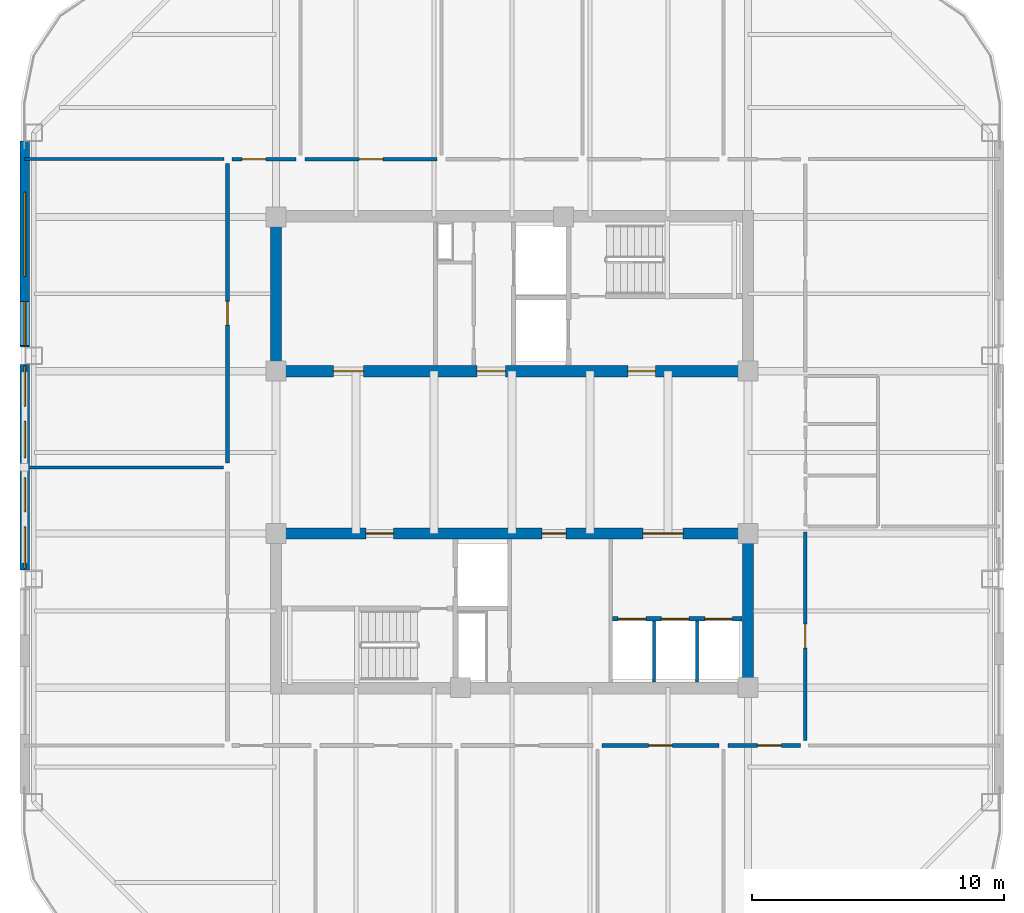
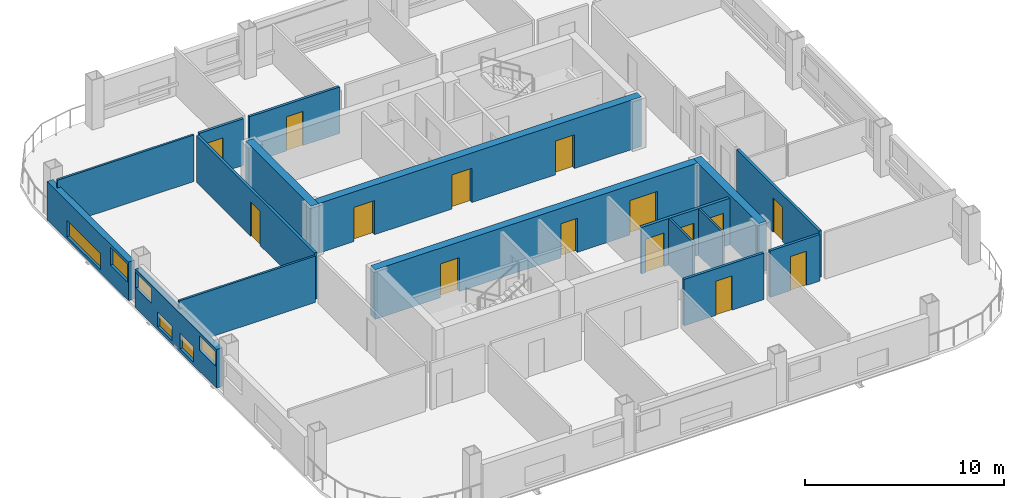
# One storey, part 3 of 8: 17 walls, 15 doors, 6 windows, 21 openings.
"""IFC4 building model written with IfcOpenShell, lengths in metres."""

import ifcopenshell
import ifcopenshell.guid

model = None  # the IFC model being written
_history = None  # IfcOwnerHistory: only IFC2X3 demands one
_inside = {}  # id of a spatial element -> (the spatial element, [elements in it])
_under = {}  # id of a project, library or spatial element -> (it, [spatial elements below it])
_declared = {}  # id of a project -> (the project, [libraries it declares])
_typed = {}  # id of a type object -> (the type object, [elements of that type])
_made_of = {}  # id of a material, layer set ... -> (it, [elements and type objects made of it])


def new_model(schema):
    """Start an empty IFC model of exactly this schema.

    Asked for "IFC4X3", IfcOpenShell would pick the latest addendum, in which some entities
    have other attributes; the version numbers below select the first issue.
    IFC2X3 requires an IfcOwnerHistory on every rooted entity: one is made here for all.
    """
    global model, _history
    if schema == "IFC4X3":
        model = ifcopenshell.file(schema_version=(4, 3, 0, 0))
    else:
        model = ifcopenshell.file(schema=schema)
    _inside.clear()
    _under.clear()
    _declared.clear()
    _typed.clear()
    _made_of.clear()
    _history = None
    if model.schema == "IFC2X3":
        org = make("IfcOrganization", Name="unknown")
        user = make(
            "IfcPersonAndOrganization",
            ThePerson=make("IfcPerson", FamilyName="unknown"),
            TheOrganization=org,
        )
        app = make(
            "IfcApplication",
            ApplicationDeveloper=org,
            Version="unknown",
            ApplicationFullName="unknown",
            ApplicationIdentifier="unknown",
        )
        _history = make(
            "IfcOwnerHistory",
            OwningUser=user,
            OwningApplication=app,
            ChangeAction="ADDED",
            CreationDate=0,
        )
    return model


def make(cls, **values):
    """One entity of the class cls with the attributes given. An attribute that is None is left unset."""
    return model.create_entity(
        cls, **{name: value for name, value in values.items() if value is not None}
    )


def rooted(cls, **values):
    """An entity with a GlobalId (a new one), such as an element, a storey or a relation."""
    return make(cls, GlobalId=ifcopenshell.guid.new(), OwnerHistory=_history, **values)


def si_unit(unit_type, name, prefix=None):
    """IfcSIUnit, for example si_unit("LENGTHUNIT", "METRE", prefix="MILLI")."""
    return make("IfcSIUnit", UnitType=unit_type, Prefix=prefix, Name=name)


def assignment(units):
    """IfcUnitAssignment: the units of a project."""
    return None if units is None else make("IfcUnitAssignment", Units=units)


def point(xyz):
    """IfcCartesianPoint."""
    return None if xyz is None else make("IfcCartesianPoint", Coordinates=xyz)


def direction(xyz):
    """IfcDirection."""
    return None if xyz is None else make("IfcDirection", DirectionRatios=xyz)


def frame(location, z_axis=None, x_axis=None):
    """IfcAxis2Placement3D, a coordinate frame: its origin and axes. An axis left out is left unset."""
    return make(
        "IfcAxis2Placement3D",
        Location=point(location),
        Axis=direction(z_axis),
        RefDirection=direction(x_axis),
    )


def frame_2d(location, x_axis=None):
    """IfcAxis2Placement2D, a coordinate frame in the plane: its origin and x axis."""
    return make(
        "IfcAxis2Placement2D", Location=point(location), RefDirection=direction(x_axis)
    )


def origin():
    """The frame at (0, 0, 0) with its axes left unset."""
    return frame((0.0, 0.0, 0.0))


def place(relative_to, where):
    """IfcLocalPlacement: puts the frame where relative to a parent placement (None: the world)."""
    return make(
        "IfcLocalPlacement", PlacementRelTo=relative_to, RelativePlacement=where
    )


def context(
    kind, dimensions, precision=None, world=None, true_north=None, identifier=None
):
    """IfcGeometricRepresentationContext, for example the 3D "Model" context."""
    return make(
        "IfcGeometricRepresentationContext",
        ContextIdentifier=identifier,
        ContextType=kind,
        CoordinateSpaceDimension=dimensions,
        Precision=precision,
        WorldCoordinateSystem=world,
        TrueNorth=true_north,
    )


def subcontext(parent, identifier, kind, view, scale=None):
    """IfcGeometricRepresentationSubContext, for example "Body" below "Model"."""
    return make(
        "IfcGeometricRepresentationSubContext",
        ContextIdentifier=identifier,
        ContextType=kind,
        ParentContext=parent,
        TargetScale=scale,
        TargetView=view,
    )


def project(units=None, contexts=None):
    """IfcProject with its units and contexts."""
    return rooted(
        "IfcProject",
        Name="project",
        RepresentationContexts=contexts,
        UnitsInContext=assignment(units),
    )


def spatial(cls, under=None, at=None, **own):
    """A site, building, storey or space (cls), placed at a placement, below another one or the project."""
    s = rooted(cls, ObjectPlacement=at, **own)
    if under is not None:
        _under.setdefault(under.id(), (under, []))[1].append(s)
    return s


def profile(cls, at=None, kind="AREA", **sizes):
    """A parametric profile (cls). Its sizes go by their IFC names, for example OverallWidth=200.0."""
    return make(cls, ProfileType=kind, Position=at, **sizes)


def rectangle(**sizes):
    """IfcRectangleProfileDef."""
    return profile("IfcRectangleProfileDef", **sizes)


def extrude(swept, where, along, depth):
    """IfcExtrudedAreaSolid: the profile swept, set in the frame where, extruded along a direction by depth."""
    return make(
        "IfcExtrudedAreaSolid",
        SweptArea=swept,
        Position=where,
        ExtrudedDirection=direction(along),
        Depth=depth,
    )


def shape(context_of_items, identifier, shape_type, items):
    """IfcShapeRepresentation: the items that make up one representation, for example the "Body"."""
    return make(
        "IfcShapeRepresentation",
        ContextOfItems=context_of_items,
        RepresentationIdentifier=identifier,
        RepresentationType=shape_type,
        Items=items,
    )


def material(Name=None, Category=None):
    """IfcMaterial."""
    return make("IfcMaterial", Name=Name, Category=Category)


def layer(
    of_material, thickness, ventilated=None, Name=None, Category=None, Priority=None
):
    """IfcMaterialLayer: one layer of a wall or slab, of a material (None: an air gap)."""
    return make(
        "IfcMaterialLayer",
        Material=of_material,
        LayerThickness=thickness,
        IsVentilated=ventilated,
        Name=Name,
        Category=Category,
        Priority=Priority,
    )


def layer_set(layers, Name=None):
    """IfcMaterialLayerSet."""
    return make("IfcMaterialLayerSet", MaterialLayers=layers, LayerSetName=Name)


def made_of(thing, what):
    """Note that an element or type object is made of a material, layer set ...; save() writes the relation."""
    if what is not None:
        _made_of.setdefault(what.id(), (what, []))[1].append(thing)
    return thing


def type_object(cls, material=None, **own):
    """A type object (cls), such as IfcWallType, which elements share."""
    return made_of(rooted(cls, **own), material)


def element(
    cls,
    number,
    at=None,
    inside=None,
    cuts=None,
    type_object=None,
    material=None,
    context=None,
    identifier="Body",
    shape_type=None,
    held_by="IfcProductDefinitionShape",
    body=None,
    shapes=None,
    **own,
):
    """One element of the class cls, such as IfcWall. Its Tag is "e" and its number.

    at: its placement. inside: the storey or other place that contains it. cuts: it is an
    opening in that element (IfcRelVoidsElement). A single representation is given by context,
    identifier, shape_type and body (its items); several are given by shapes. held_by: the class
    of the entity that holds the representations. save() writes the other relations.
    """
    e = rooted(cls, Tag="e%d" % number, ObjectPlacement=at, **own)
    if body is not None:
        shapes = [shape(context, identifier, shape_type, body)]
    if shapes is not None:
        e.Representation = make(held_by, Representations=shapes)
    if inside is not None:
        _inside.setdefault(inside.id(), (inside, []))[1].append(e)
    if cuts is not None:
        rooted(
            "IfcRelVoidsElement", RelatingBuildingElement=cuts, RelatedOpeningElement=e
        )
    if type_object is not None:
        _typed.setdefault(type_object.id(), (type_object, []))[1].append(e)
    return made_of(e, material)


def fill(opening, filler):
    """IfcRelFillsElement: the door or window that sits in an opening."""
    return rooted(
        "IfcRelFillsElement",
        RelatingOpeningElement=opening,
        RelatedBuildingElement=filler,
    )


def aggregate(whole, parts):
    """IfcRelAggregates: a whole, such as a stair, and the parts it consists of."""
    return rooted("IfcRelAggregates", RelatingObject=whole, RelatedObjects=parts)


def save(model, path):
    """Write the relations noted so far, then the file.

    IfcRelAggregates (storeys below a building ...), IfcRelContainedInSpatialStructure (elements
    in a storey), IfcRelDefinesByType, IfcRelAssociatesMaterial and IfcRelDeclares: one each for
    every whole, place, type object, material and project.
    """
    for whole, parts in _under.values():
        aggregate(whole, parts)
    for where, things in _inside.values():
        rooted(
            "IfcRelContainedInSpatialStructure",
            RelatedElements=things,
            RelatingStructure=where,
        )
    for kind, things in _typed.values():
        rooted("IfcRelDefinesByType", RelatedObjects=things, RelatingType=kind)
    for what, things in _made_of.values():
        rooted("IfcRelAssociatesMaterial", RelatedObjects=things, RelatingMaterial=what)
    for by, libraries in _declared.values():
        rooted("IfcRelDeclares", RelatingContext=by, RelatedDefinitions=libraries)
    model.write(path)


model = new_model("IFC4")

# Units and contexts
model_context = context("Model", 3, precision=1e-05, world=origin(), true_north=direction((0.0, 1.0)))
body_context = subcontext(model_context, "Body", "Model", "MODEL_VIEW")
ifc_project = project(units=[si_unit("LENGTHUNIT", "METRE"), si_unit("AREAUNIT", "SQUARE_METRE"), si_unit("VOLUMEUNIT", "CUBIC_METRE"), si_unit("PLANEANGLEUNIT", "RADIAN"), si_unit("MASSUNIT", "GRAM", prefix="KILO")], contexts=[model_context])

# Site, building, storey
site_placement = place(None, origin())
site = spatial("IfcSite", under=ifc_project, at=site_placement, CompositionType="ELEMENT")
building_placement = place(site_placement, origin())
building = spatial("IfcBuilding", under=site, at=building_placement, Name="Qhalaya Broadcast Tower", CompositionType="ELEMENT")
storey_placement = place(building_placement, frame((0.0, 0.0, 208.64990234375)))
storey = spatial("IfcBuildingStorey", under=building, at=storey_placement, Name="L61", CompositionType="ELEMENT", Elevation=208.64990234375)

# Wall, opening, door
ifc_material_1 = material(Name="Gypsum Acoustic Partition")
ifc_layer_1 = layer(ifc_material_1, 0.14990234375, Name="Gypsum Acoustic Partition")
ifc_layer_set_1 = layer_set([ifc_layer_1], Name="Gypsum Acoustic Partition")
wall_type_1 = type_object("IfcWallType", Name="Corridor & Tenancy Acoustic Partition 150", PredefinedType="PARTITIONING", material=ifc_layer_set_1)
wall_1_placement = place(storey_placement, frame((-11.1201171875, 12.25, 0.0), z_axis=(0.0, 0.0, 1.0), x_axis=(1.0, 0.0, 0.0)))
wall_1 = element("IfcWall", 1, at=wall_1_placement, inside=storey, type_object=wall_type_1, Name="L61 Partition Wall W-COR-01", PredefinedType="PARTITIONING", context=body_context, shape_type="SweptSolid", body=[
    extrude(rectangle(XDim=2.5400390625, YDim=0.14990234375, at=frame_2d((1.27001953125, 0.0))), origin(), (0.0, 0.0, 1.0), 2.860107421875),
])
opening_1_placement = place(wall_1_placement, frame((0.39501953125, 0.0, 0.0)))
opening_1 = element("IfcOpeningElement", 2, at=opening_1_placement, cuts=wall_1, Name="Opening D10", PredefinedType="OPENING", context=body_context, shape_type="SweptSolid", body=[
    extrude(rectangle(XDim=0.949951171875, YDim=2.10009765625, at=frame_2d((0.47509765625, 1.050048828125))), frame((0.0, 0.0869140625, 0.0), z_axis=(0.0, -1.0, 0.0), x_axis=(1.0, 0.0, 0.0)), (0.0, 0.0, 1.0), 0.173828125),
])
ifc_material_2 = material(Name="Timber Veneer Acoustic Door", Category="wood")
door_type_1 = type_object("IfcDoorType", Name="Cellular Office & Edit Booth Door D10", OperationType="NOTDEFINED", PredefinedType="DOOR", material=ifc_material_2)
door_1_placement = place(opening_1_placement, origin())
door_1 = element("IfcDoor", 3, at=door_1_placement, inside=storey, type_object=door_type_1, Name="L61 Door D-RM01", OperationType="SINGLE_SWING_LEFT", OverallHeight=2.10009765625, OverallWidth=0.949951171875, PredefinedType="DOOR", context=body_context, shape_type="SweptSolid", body=[
    extrude(rectangle(XDim=0.949951171875, YDim=2.10009765625, at=frame_2d((0.47509765625, 1.050048828125))), frame((0.0, 0.02490234375, 0.0), z_axis=(0.0, -1.0, 0.0), x_axis=(1.0, 0.0, 0.0)), (0.0, 0.0, 1.0), 0.050048828125),
])
fill(opening_1, door_1)

wall_2_placement = place(storey_placement, frame((-8.219970703125, 12.25, 0.0), z_axis=(0.0, 0.0, 1.0), x_axis=(1.0, 0.0, 0.0)))
wall_2 = element("IfcWall", 4, at=wall_2_placement, inside=storey, type_object=wall_type_1, Name="L61 Partition Wall W-COR-02", PredefinedType="PARTITIONING", context=body_context, shape_type="SweptSolid", body=[
    extrude(rectangle(XDim=5.239990234375, YDim=0.14990234375, at=frame_2d((2.6201171875, 0.0))), origin(), (0.0, 0.0, 1.0), 2.860107421875),
])
opening_2_placement = place(wall_2_placement, frame((2.14501953125, 0.0, 0.0)))
opening_2 = element("IfcOpeningElement", 5, at=opening_2_placement, cuts=wall_2, Name="Opening D10", PredefinedType="OPENING", context=body_context, shape_type="SweptSolid", body=[
    extrude(rectangle(XDim=0.949951171875, YDim=2.10009765625, at=frame_2d((0.47509765625, 1.050048828125))), frame((0.0, 0.0869140625, 0.0), z_axis=(0.0, -1.0, 0.0), x_axis=(1.0, 0.0, 0.0)), (0.0, 0.0, 1.0), 0.173828125),
])
door_2_placement = place(opening_2_placement, origin())
door_2 = element("IfcDoor", 6, at=door_2_placement, inside=storey, type_object=door_type_1, Name="L61 Door D-RM02", OperationType="SINGLE_SWING_RIGHT", OverallHeight=2.10009765625, OverallWidth=0.949951171875, PredefinedType="DOOR", context=body_context, shape_type="SweptSolid", body=[
    extrude(rectangle(XDim=0.949951171875, YDim=2.10009765625, at=frame_2d((0.47509765625, 1.050048828125))), frame((0.0, 0.02490234375, 0.0), z_axis=(0.0, -1.0, 0.0), x_axis=(1.0, 0.0, 0.0)), (0.0, 0.0, 1.0), 0.050048828125),
])
fill(opening_2, door_2)

wall_3_placement = place(storey_placement, frame((3.580078125, -11.050048828125, 0.0), z_axis=(0.0, 0.0, 1.0), x_axis=(1.0, 0.0, 0.0)))
wall_3 = element("IfcWall", 7, at=wall_3_placement, inside=storey, type_object=wall_type_1, Name="L61 Partition Wall W-COR-09", PredefinedType="PARTITIONING", context=body_context, shape_type="SweptSolid", body=[
    extrude(rectangle(XDim=4.639892578125, YDim=0.14990234375, at=frame_2d((2.31982421875, 0.0))), origin(), (0.0, 0.0, 1.0), 2.860107421875),
])
opening_3_placement = place(wall_3_placement, frame((1.844970703125, 0.0, 0.0)))
opening_3 = element("IfcOpeningElement", 8, at=opening_3_placement, cuts=wall_3, Name="Opening D10", PredefinedType="OPENING", context=body_context, shape_type="SweptSolid", body=[
    extrude(rectangle(XDim=0.949951171875, YDim=2.10009765625, at=frame_2d((0.47509765625, 1.050048828125))), frame((0.0, 0.0869140625, 0.0), z_axis=(0.0, -1.0, 0.0), x_axis=(1.0, 0.0, 0.0)), (0.0, 0.0, 1.0), 0.173828125),
])
door_3_placement = place(opening_3_placement, origin())
door_3 = element("IfcDoor", 9, at=door_3_placement, inside=storey, type_object=door_type_1, Name="L61 Door D-RM09", OperationType="SINGLE_SWING_LEFT", OverallHeight=2.10009765625, OverallWidth=0.949951171875, PredefinedType="DOOR", context=body_context, shape_type="SweptSolid", body=[
    extrude(rectangle(XDim=0.949951171875, YDim=2.10009765625, at=frame_2d((0.47509765625, 1.050048828125))), frame((0.0, 0.02490234375, 0.0), z_axis=(0.0, -1.0, 0.0), x_axis=(1.0, 0.0, 0.0)), (0.0, 0.0, 1.0), 0.050048828125),
])
fill(opening_3, door_3)

wall_4_placement = place(storey_placement, frame((8.580078125, -11.050048828125, 0.0), z_axis=(0.0, 0.0, 1.0), x_axis=(1.0, 0.0, 0.0)))
wall_4 = element("IfcWall", 10, at=wall_4_placement, inside=storey, type_object=wall_type_1, Name="L61 Partition Wall W-COR-10", PredefinedType="PARTITIONING", context=body_context, shape_type="SweptSolid", body=[
    extrude(rectangle(XDim=2.889892578125, YDim=0.14990234375, at=frame_2d((1.44482421875, 0.0))), origin(), (0.0, 0.0, 1.0), 2.860107421875),
])
opening_4_placement = place(wall_4_placement, frame((1.169921875, 0.0, 0.0)))
opening_4 = element("IfcOpeningElement", 11, at=opening_4_placement, cuts=wall_4, Name="Opening D10", PredefinedType="OPENING", context=body_context, shape_type="SweptSolid", body=[
    extrude(rectangle(XDim=0.949951171875, YDim=2.10009765625, at=frame_2d((0.47509765625, 1.050048828125))), frame((0.0, 0.0869140625, 0.0), z_axis=(0.0, -1.0, 0.0), x_axis=(1.0, 0.0, 0.0)), (0.0, 0.0, 1.0), 0.173828125),
])
door_4_placement = place(opening_4_placement, origin())
door_4 = element("IfcDoor", 12, at=door_4_placement, inside=storey, type_object=door_type_1, Name="L61 Door D-RM10", OperationType="SINGLE_SWING_RIGHT", OverallHeight=2.10009765625, OverallWidth=0.949951171875, PredefinedType="DOOR", context=body_context, shape_type="SweptSolid", body=[
    extrude(rectangle(XDim=0.949951171875, YDim=2.10009765625, at=frame_2d((0.47509765625, 1.050048828125))), frame((0.0, 0.02490234375, 0.0), z_axis=(0.0, -1.0, 0.0), x_axis=(1.0, 0.0, 0.0)), (0.0, 0.0, 1.0), 0.050048828125),
])
fill(opening_4, door_4)

wall_5_placement = place(storey_placement, frame((-11.300048828125, 0.179931640625, 0.0), z_axis=(0.0, 0.0, 1.0), x_axis=(0.0, 1.0, 0.0)))
wall_5 = element("IfcWall", 13, at=wall_5_placement, inside=storey, type_object=wall_type_1, Name="L61 Partition Wall W-COR-12", PredefinedType="PARTITIONING", context=body_context, shape_type="SweptSolid", body=[
    extrude(rectangle(XDim=11.89013671875, YDim=0.14990234375, at=frame_2d((5.945068359375, 0.0))), origin(), (0.0, 0.0, 1.0), 2.860107421875),
])
opening_5_placement = place(wall_5_placement, frame((5.469970703125, 0.0, 0.0)))
opening_5 = element("IfcOpeningElement", 14, at=opening_5_placement, cuts=wall_5, Name="Opening D10", PredefinedType="OPENING", context=body_context, shape_type="SweptSolid", body=[
    extrude(rectangle(XDim=0.949951171875, YDim=2.10009765625, at=frame_2d((0.47509765625, 1.050048828125))), frame((0.0, 0.0869140625, 0.0), z_axis=(0.0, -1.0, 0.0), x_axis=(1.0, 0.0, 0.0)), (0.0, 0.0, 1.0), 0.173828125),
])
door_5_placement = place(opening_5_placement, origin())
door_5 = element("IfcDoor", 15, at=door_5_placement, inside=storey, type_object=door_type_1, Name="L61 Door D-RM12", OperationType="SINGLE_SWING_RIGHT", OverallHeight=2.10009765625, OverallWidth=0.949951171875, PredefinedType="DOOR", context=body_context, shape_type="SweptSolid", body=[
    extrude(rectangle(XDim=0.949951171875, YDim=2.10009765625, at=frame_2d((0.47509765625, 1.050048828125))), frame((0.0, 0.02490234375, 0.0), z_axis=(0.0, -1.0, 0.0), x_axis=(1.0, 0.0, 0.0)), (0.0, 0.0, 1.0), 0.050048828125),
])
fill(opening_5, door_5)

wall_6_placement = place(storey_placement, frame((11.64990234375, -10.85009765625, 0.0), z_axis=(0.0, 0.0, 1.0), x_axis=(0.0, 1.0, 0.0)))
wall_6 = element("IfcWall", 16, at=wall_6_placement, inside=storey, type_object=wall_type_1, Name="L61 Partition Wall W-COR-13", PredefinedType="PARTITIONING", context=body_context, shape_type="SweptSolid", body=[
    extrude(rectangle(XDim=8.2900390625, YDim=0.14990234375, at=frame_2d((4.14501953125, 0.0))), origin(), (0.0, 0.0, 1.0), 2.860107421875),
])
opening_6_placement = place(wall_6_placement, frame((3.669921875, 0.0, 0.0)))
opening_6 = element("IfcOpeningElement", 17, at=opening_6_placement, cuts=wall_6, Name="Opening D10", PredefinedType="OPENING", context=body_context, shape_type="SweptSolid", body=[
    extrude(rectangle(XDim=0.949951171875, YDim=2.10009765625, at=frame_2d((0.47509765625, 1.050048828125))), frame((0.0, 0.0869140625, 0.0), z_axis=(0.0, -1.0, 0.0), x_axis=(1.0, 0.0, 0.0)), (0.0, 0.0, 1.0), 0.173828125),
])
door_6_placement = place(opening_6_placement, origin())
door_6 = element("IfcDoor", 18, at=door_6_placement, inside=storey, type_object=door_type_1, Name="L61 Door D-RM13", OperationType="SINGLE_SWING_LEFT", OverallHeight=2.10009765625, OverallWidth=0.949951171875, PredefinedType="DOOR", context=body_context, shape_type="SweptSolid", body=[
    extrude(rectangle(XDim=0.949951171875, YDim=2.10009765625, at=frame_2d((0.47509765625, 1.050048828125))), frame((0.0, 0.02490234375, 0.0), z_axis=(0.0, -1.0, 0.0), x_axis=(1.0, 0.0, 0.0)), (0.0, 0.0, 1.0), 0.050048828125),
])
fill(opening_6, door_6)

# Wall, openings, windows
ifc_material_3 = material(Name="Precast Concrete C40/50", Category="concrete")
ifc_layer_2 = layer(ifc_material_3, 0.360107421875, Name="Precast Concrete C40/50")
ifc_layer_set_2 = layer_set([ifc_layer_2], Name="Precast Concrete C40/50")
wall_type_2 = type_object("IfcWallType", Name="Insulated Precast Terracotta Exterior Wall 360", PredefinedType="SOLIDWALL", material=ifc_layer_set_2)
wall_7_placement = place(storey_placement, frame((-19.360107421875, -4.083251953125, 0.0), z_axis=(0.0, 0.0, 1.0), x_axis=(0.0, 1.0, 0.0)))
wall_7 = element("IfcWall", 19, at=wall_7_placement, inside=storey, type_object=wall_type_2, Name="L61 Exoskeleton Diagrid Infill Wall W2", PredefinedType="SOLIDWALL", context=body_context, shape_type="SweptSolid", body=[
    extrude(rectangle(XDim=8.16650390625, YDim=0.360107421875, at=frame_2d((4.083251953125, 0.0))), origin(), (0.0, 0.0, 1.0), 2.3740234375),
])
opening_7_placement = place(wall_7_placement, frame((0.071044921875, 0.0, 1.300048828125)))
opening_7 = element("IfcOpeningElement", 20, at=opening_7_placement, cuts=wall_7, Name="Opening W13", PredefinedType="OPENING", context=body_context, shape_type="SweptSolid", body=[
    extrude(rectangle(XDim=1.64990234375, YDim=0.89990234375, at=frame_2d((0.824951171875, 0.449951171875))), frame((0.0, 0.192138671875, 0.0), z_axis=(0.0, -1.0, 0.0), x_axis=(1.0, 0.0, 0.0)), (0.0, 0.0, 1.0), 0.384033203125),
])
opening_8_placement = place(wall_7_placement, frame((2.321044921875, 0.0, 0.199951171875)))
opening_8 = element("IfcOpeningElement", 21, at=opening_8_placement, cuts=wall_7, Name="Opening W13", PredefinedType="OPENING", context=body_context, shape_type="SweptSolid", body=[
    extrude(rectangle(XDim=1.35009765625, YDim=0.949951171875, at=frame_2d((0.675048828125, 0.47509765625))), frame((0.0, 0.192138671875, 0.0), z_axis=(0.0, -1.0, 0.0), x_axis=(1.0, 0.0, 0.0)), (0.0, 0.0, 1.0), 0.384033203125),
])
opening_9_placement = place(wall_7_placement, frame((4.470947265625, 0.0, 0.199951171875)))
opening_9 = element("IfcOpeningElement", 22, at=opening_9_placement, cuts=wall_7, Name="Opening W13", PredefinedType="OPENING", context=body_context, shape_type="SweptSolid", body=[
    extrude(rectangle(XDim=1.449951171875, YDim=0.89990234375, at=frame_2d((0.72509765625, 0.449951171875))), frame((0.0, 0.192138671875, 0.0), z_axis=(0.0, -1.0, 0.0), x_axis=(1.0, 0.0, 0.0)), (0.0, 0.0, 1.0), 0.384033203125),
])
opening_10_placement = place(wall_7_placement, frame((6.52099609375, 0.0, 1.25)))
opening_10 = element("IfcOpeningElement", 23, at=opening_10_placement, cuts=wall_7, Name="Opening W13", PredefinedType="OPENING", context=body_context, shape_type="SweptSolid", body=[
    extrude(rectangle(XDim=1.60009765625, YDim=0.949951171875, at=frame_2d((0.800048828125, 0.47509765625))), frame((0.0, 0.192138671875, 0.0), z_axis=(0.0, -1.0, 0.0), x_axis=(1.0, 0.0, 0.0)), (0.0, 0.0, 1.0), 0.384033203125),
])
ifc_material_4 = material(Name="Solar-Control Low-E Triple Glazing", Category="glass")
window_type = type_object("IfcWindowType", Name="Upper-Block Diagrid Infill Window W13", PartitioningType="SINGLE_PANEL", PredefinedType="WINDOW", material=ifc_material_4)
window_1_placement = place(opening_7_placement, origin())
window_1 = element("IfcWindow", 24, at=window_1_placement, inside=storey, type_object=window_type, Name="L61 Diagrid Infill Window W13-W3", OverallHeight=0.89990234375, OverallWidth=1.64990234375, PartitioningType="SINGLE_PANEL", PredefinedType="WINDOW", context=body_context, shape_type="SweptSolid", body=[
    extrude(rectangle(XDim=1.64990234375, YDim=0.89990234375, at=frame_2d((0.824951171875, 0.449951171875))), frame((0.0, 0.030029296875, 0.0), z_axis=(0.0, -1.0, 0.0), x_axis=(1.0, 0.0, 0.0)), (0.0, 0.0, 1.0), 0.06005859375),
])
fill(opening_7, window_1)
window_2_placement = place(opening_8_placement, origin())
window_2 = element("IfcWindow", 25, at=window_2_placement, inside=storey, type_object=window_type, Name="L61 Diagrid Infill Window W13-W4", OverallHeight=0.949951171875, OverallWidth=1.35009765625, PartitioningType="SINGLE_PANEL", PredefinedType="WINDOW", context=body_context, shape_type="SweptSolid", body=[
    extrude(rectangle(XDim=1.35009765625, YDim=0.949951171875, at=frame_2d((0.675048828125, 0.47509765625))), frame((0.0, 0.030029296875, 0.0), z_axis=(0.0, -1.0, 0.0), x_axis=(1.0, 0.0, 0.0)), (0.0, 0.0, 1.0), 0.06005859375),
])
fill(opening_8, window_2)
window_3_placement = place(opening_9_placement, origin())
window_3 = element("IfcWindow", 26, at=window_3_placement, inside=storey, type_object=window_type, Name="L61 Diagrid Infill Window W13-W5", OverallHeight=0.89990234375, OverallWidth=1.449951171875, PartitioningType="SINGLE_PANEL", PredefinedType="WINDOW", context=body_context, shape_type="SweptSolid", body=[
    extrude(rectangle(XDim=1.449951171875, YDim=0.89990234375, at=frame_2d((0.72509765625, 0.449951171875))), frame((0.0, 0.030029296875, 0.0), z_axis=(0.0, -1.0, 0.0), x_axis=(1.0, 0.0, 0.0)), (0.0, 0.0, 1.0), 0.06005859375),
])
fill(opening_9, window_3)
window_4_placement = place(opening_10_placement, origin())
window_4 = element("IfcWindow", 27, at=window_4_placement, inside=storey, type_object=window_type, Name="L61 Diagrid Infill Window W13-W6", OverallHeight=0.949951171875, OverallWidth=1.60009765625, PartitioningType="SINGLE_PANEL", PredefinedType="WINDOW", context=body_context, shape_type="SweptSolid", body=[
    extrude(rectangle(XDim=1.60009765625, YDim=0.949951171875, at=frame_2d((0.800048828125, 0.47509765625))), frame((0.0, 0.030029296875, 0.0), z_axis=(0.0, -1.0, 0.0), x_axis=(1.0, 0.0, 0.0)), (0.0, 0.0, 1.0), 0.06005859375),
])
fill(opening_10, window_4)

wall_8_placement = place(storey_placement, frame((-19.360107421875, 4.783203125, 0.0), z_axis=(0.0, 0.0, 1.0), x_axis=(0.0, 1.0, 0.0)))
wall_8 = element("IfcWall", 28, at=wall_8_placement, inside=storey, type_object=wall_type_2, Name="L61 Exoskeleton Diagrid Infill Wall W3", PredefinedType="SOLIDWALL", context=body_context, shape_type="SweptSolid", body=[
    extrude(rectangle(XDim=8.1787109375, YDim=0.360107421875, at=frame_2d((4.08935546875, 0.0))), origin(), (0.0, 0.0, 1.0), 2.3740234375),
])
opening_11_placement = place(wall_8_placement, frame((0.054931640625, 0.0, 1.10009765625)))
opening_11 = element("IfcOpeningElement", 29, at=opening_11_placement, cuts=wall_8, Name="Opening W13", PredefinedType="OPENING", context=body_context, shape_type="SweptSolid", body=[
    extrude(rectangle(XDim=1.75, YDim=1.10009765625, at=frame_2d((0.875, 0.550048828125))), frame((0.0, 0.192138671875, 0.0), z_axis=(0.0, -1.0, 0.0), x_axis=(1.0, 0.0, 0.0)), (0.0, 0.0, 1.0), 0.384033203125),
])
opening_12_placement = place(wall_8_placement, frame((2.804931640625, 0.0, 0.199951171875)))
opening_12 = element("IfcOpeningElement", 30, at=opening_12_placement, cuts=wall_8, Name="Opening W13", PredefinedType="OPENING", context=body_context, shape_type="SweptSolid", body=[
    extrude(rectangle(XDim=3.35009765625, YDim=1.0, at=frame_2d((1.675048828125, 0.5))), frame((0.0, 0.192138671875, 0.0), z_axis=(0.0, -1.0, 0.0), x_axis=(1.0, 0.0, 0.0)), (0.0, 0.0, 1.0), 0.384033203125),
])
window_5_placement = place(opening_11_placement, origin())
window_5 = element("IfcWindow", 31, at=window_5_placement, inside=storey, type_object=window_type, Name="L61 Diagrid Infill Window W13-W7", OverallHeight=1.10009765625, OverallWidth=1.75, PartitioningType="SINGLE_PANEL", PredefinedType="WINDOW", context=body_context, shape_type="SweptSolid", body=[
    extrude(rectangle(XDim=1.75, YDim=1.10009765625, at=frame_2d((0.875, 0.550048828125))), frame((0.0, 0.030029296875, 0.0), z_axis=(0.0, -1.0, 0.0), x_axis=(1.0, 0.0, 0.0)), (0.0, 0.0, 1.0), 0.06005859375),
])
fill(opening_11, window_5)
window_6_placement = place(opening_12_placement, origin())
window_6 = element("IfcWindow", 32, at=window_6_placement, inside=storey, type_object=window_type, Name="L61 Diagrid Infill Window W13-W8", OverallHeight=1.0, OverallWidth=3.35009765625, PartitioningType="SINGLE_PANEL", PredefinedType="WINDOW", context=body_context, shape_type="SweptSolid", body=[
    extrude(rectangle(XDim=3.35009765625, YDim=1.0, at=frame_2d((1.675048828125, 0.5))), frame((0.0, 0.030029296875, 0.0), z_axis=(0.0, -1.0, 0.0), x_axis=(1.0, 0.0, 0.0)), (0.0, 0.0, 1.0), 0.06005859375),
])
fill(opening_12, window_6)

# Walls
ifc_layer_3 = layer(ifc_material_1, 0.1201171875, Name="Gypsum Acoustic Partition")
ifc_layer_set_3 = layer_set([ifc_layer_3], Name="Gypsum Acoustic Partition")
wall_type_3 = type_object("IfcWallType", Name="Office, Booth & Sanitary Partition 120", PredefinedType="PARTITIONING", material=ifc_layer_set_3)
for number, where, z_axis, x_axis, name in (
    (33, (5.639892578125, -8.530029296875, 0.0), (0.0, 0.0, 1.0), (0.0, 1.0, 0.0), "L61 Partition Wall SCW-HD6"),
    (34, (7.360107421875, -8.530029296875, 0.0), (0.0, 0.0, 1.0), (0.0, 1.0, 0.0), "L61 Partition Wall SCW-HD7"),
):
    element("IfcWall", number, at=place(storey_placement, frame(where, z_axis=z_axis, x_axis=x_axis)), inside=storey, type_object=wall_type_3, Name=name, PredefinedType="PARTITIONING", context=body_context, shape_type="SweptSolid", body=[
        extrude(rectangle(XDim=2.429931640625, YDim=0.1201171875, at=frame_2d((1.21484375, 0.0))), origin(), (0.0, 0.0, 1.0), 2.860107421875),
    ])
wall_9_placement = place(storey_placement, frame((-19.3798828125, 12.25, 0.0), z_axis=(0.0, 0.0, 1.0), x_axis=(1.0, 0.0, 0.0)))
element("IfcWall", 35, at=wall_9_placement, inside=storey, type_object=wall_type_3, Name="L61 Partition Wall W-BNDW1", PredefinedType="PARTITIONING", context=body_context, shape_type="SweptSolid", body=[
    extrude(rectangle(XDim=7.93994140625, YDim=0.1201171875, at=frame_2d((3.969970703125, 0.0))), origin(), (0.0, 0.0, 1.0), 2.860107421875),
])
wall_10_placement = place(storey_placement, frame((-19.3798828125, 0.0, 0.0), z_axis=(0.0, 0.0, 1.0), x_axis=(1.0, 0.0, 0.0)))
element("IfcWall", 36, at=wall_10_placement, inside=storey, type_object=wall_type_3, Name="L61 Partition Wall W-DIVW1", PredefinedType="PARTITIONING", context=body_context, shape_type="SweptSolid", body=[
    extrude(rectangle(XDim=7.919921875, YDim=0.1201171875, at=frame_2d((3.9599609375, 0.0))), origin(), (0.0, 0.0, 1.0), 2.860107421875),
])

# Wall, openings, doors
ifc_layer_4 = layer(ifc_material_1, 0.175048828125, Name="Gypsum Acoustic Partition")
ifc_layer_set_4 = layer_set([ifc_layer_4], Name="Gypsum Acoustic Partition")
wall_type_4 = type_object("IfcWallType", Name="Shaft & Riser Fire Partition 175", PredefinedType="PARTITIONING", material=ifc_layer_set_4)
wall_11_placement = place(storey_placement, frame((4.0, -6.02001953125, 0.0), z_axis=(0.0, 0.0, 1.0), x_axis=(1.0, 0.0, 0.0)))
wall_11 = element("IfcWall", 37, at=wall_11_placement, inside=storey, type_object=wall_type_4, Name="L61 Partition Wall SCW-SLB", PredefinedType="PARTITIONING", context=body_context, shape_type="SweptSolid", body=[
    extrude(rectangle(XDim=5.1298828125, YDim=0.175048828125, at=frame_2d((2.56494140625, 0.0))), origin(), (0.0, 0.0, 1.0), 2.860107421875),
])
opening_13_placement = place(wall_11_placement, frame((0.219970703125, 0.0, 0.0)))
opening_13 = element("IfcOpeningElement", 38, at=opening_13_placement, cuts=wall_11, Name="Opening LD1", PredefinedType="OPENING", context=body_context, shape_type="SweptSolid", body=[
    extrude(rectangle(XDim=1.10009765625, YDim=2.06005859375, at=frame_2d((0.550048828125, 1.030029296875))), frame((0.0, 0.099609375, 0.0), z_axis=(0.0, -1.0, 0.0), x_axis=(1.0, 0.0, 0.0)), (0.0, 0.0, 1.0), 0.198974609375),
])
opening_14_placement = place(wall_11_placement, frame((1.93994140625, 0.0, 0.0)))
opening_14 = element("IfcOpeningElement", 39, at=opening_14_placement, cuts=wall_11, Name="Opening LD1", PredefinedType="OPENING", context=body_context, shape_type="SweptSolid", body=[
    extrude(rectangle(XDim=1.10009765625, YDim=2.06005859375, at=frame_2d((0.550048828125, 1.030029296875))), frame((0.0, 0.099609375, 0.0), z_axis=(0.0, -1.0, 0.0), x_axis=(1.0, 0.0, 0.0)), (0.0, 0.0, 1.0), 0.198974609375),
])
opening_15_placement = place(wall_11_placement, frame((3.659912109375, 0.0, 0.0)))
opening_15 = element("IfcOpeningElement", 40, at=opening_15_placement, cuts=wall_11, Name="Opening LD1", PredefinedType="OPENING", context=body_context, shape_type="SweptSolid", body=[
    extrude(rectangle(XDim=1.10009765625, YDim=2.06005859375, at=frame_2d((0.550048828125, 1.030029296875))), frame((0.0, 0.099609375, 0.0), z_axis=(0.0, -1.0, 0.0), x_axis=(1.0, 0.0, 0.0)), (0.0, 0.0, 1.0), 0.198974609375),
])
ifc_material_5 = material(Name="Brushed Stainless Steel Lift Door", Category="steel")
door_type_2 = type_object("IfcDoorType", Name="Passenger Lift Sliding Landing Door LD1", OperationType="DOUBLE_DOOR_SLIDING", PredefinedType="DOOR", material=ifc_material_5)
door_7_placement = place(opening_13_placement, origin())
door_7 = element("IfcDoor", 41, at=door_7_placement, inside=storey, type_object=door_type_2, Name="L61 Door LD-P6", OperationType="DOUBLE_DOOR_SLIDING", OverallHeight=2.06005859375, OverallWidth=1.10009765625, PredefinedType="DOOR", context=body_context, shape_type="SweptSolid", body=[
    extrude(rectangle(XDim=1.10009765625, YDim=2.06005859375, at=frame_2d((0.550048828125, 1.030029296875))), frame((0.0, 0.02490234375, 0.0), z_axis=(0.0, -1.0, 0.0), x_axis=(1.0, 0.0, 0.0)), (0.0, 0.0, 1.0), 0.050048828125),
])
fill(opening_13, door_7)
door_8_placement = place(opening_14_placement, origin())
door_8 = element("IfcDoor", 42, at=door_8_placement, inside=storey, type_object=door_type_2, Name="L61 Door LD-P7", OperationType="DOUBLE_DOOR_SLIDING", OverallHeight=2.06005859375, OverallWidth=1.10009765625, PredefinedType="DOOR", context=body_context, shape_type="SweptSolid", body=[
    extrude(rectangle(XDim=1.10009765625, YDim=2.06005859375, at=frame_2d((0.550048828125, 1.030029296875))), frame((0.0, 0.02490234375, 0.0), z_axis=(0.0, -1.0, 0.0), x_axis=(1.0, 0.0, 0.0)), (0.0, 0.0, 1.0), 0.050048828125),
])
fill(opening_14, door_8)
door_9_placement = place(opening_15_placement, origin())
door_9 = element("IfcDoor", 43, at=door_9_placement, inside=storey, type_object=door_type_2, Name="L61 Door LD-P8", OperationType="DOUBLE_DOOR_SLIDING", OverallHeight=2.06005859375, OverallWidth=1.10009765625, PredefinedType="DOOR", context=body_context, shape_type="SweptSolid", body=[
    extrude(rectangle(XDim=1.10009765625, YDim=2.06005859375, at=frame_2d((0.550048828125, 1.030029296875))), frame((0.0, 0.02490234375, 0.0), z_axis=(0.0, -1.0, 0.0), x_axis=(1.0, 0.0, 0.0)), (0.0, 0.0, 1.0), 0.050048828125),
])
fill(opening_15, door_9)

ifc_material_6 = material(Name="Concrete C50/60", Category="concrete")
ifc_layer_5 = layer(ifc_material_6, 0.449951171875, Name="Concrete C50/60")
ifc_layer_set_5 = layer_set([ifc_layer_5], Name="Concrete C50/60")
wall_type_5 = type_object("IfcWallType", Name="Upper Split-Core Shear Wall 450", PredefinedType="SHEAR", material=ifc_layer_set_5)
wall_12_placement = place(storey_placement, frame((-9.60009765625, 3.824951171875, 0.0), z_axis=(0.0, 0.0, 1.0), x_axis=(1.0, 0.0, 0.0)))
wall_12 = element("IfcWall", 44, at=wall_12_placement, inside=storey, type_object=wall_type_5, Name="L61 Split-Core Shear Wall CW-NS", PredefinedType="SHEAR", context=body_context, shape_type="SweptSolid", body=[
    extrude(rectangle(XDim=19.2001953125, YDim=0.449951171875, at=frame_2d((9.60009765625, 0.0))), origin(), (0.0, 0.0, 1.0), 3.050048828125),
])
opening_16_placement = place(wall_12_placement, frame((14.199951171875, 0.0, 0.0)))
opening_16 = element("IfcOpeningElement", 45, at=opening_16_placement, cuts=wall_12, Name="Opening D04", PredefinedType="OPENING", context=body_context, shape_type="SweptSolid", body=[
    extrude(rectangle(XDim=1.10009765625, YDim=2.080078125, at=frame_2d((0.550048828125, 1.0400390625))), frame((0.0, 0.237060546875, 0.0), z_axis=(0.0, -1.0, 0.0), x_axis=(1.0, 0.0, 0.0)), (0.0, 0.0, 1.0), 0.473876953125),
])
opening_17_placement = place(wall_12_placement, frame((8.199951171875, 0.0, 0.0)))
opening_17 = element("IfcOpeningElement", 46, at=opening_17_placement, cuts=wall_12, Name="Opening D05", PredefinedType="OPENING", context=body_context, shape_type="SweptSolid", body=[
    extrude(rectangle(XDim=1.14990234375, YDim=2.10009765625, at=frame_2d((0.574951171875, 1.050048828125))), frame((0.0, 0.237060546875, 0.0), z_axis=(0.0, -1.0, 0.0), x_axis=(1.0, 0.0, 0.0)), (0.0, 0.0, 1.0), 0.473876953125),
])
opening_18_placement = place(wall_12_placement, frame((2.5, 0.0, 0.0)))
opening_18 = element("IfcOpeningElement", 47, at=opening_18_placement, cuts=wall_12, Name="Opening D11", PredefinedType="OPENING", context=body_context, shape_type="SweptSolid", body=[
    extrude(rectangle(XDim=1.199951171875, YDim=2.10009765625, at=frame_2d((0.60009765625, 1.050048828125))), frame((0.0, 0.237060546875, 0.0), z_axis=(0.0, -1.0, 0.0), x_axis=(1.0, 0.0, 0.0)), (0.0, 0.0, 1.0), 0.473876953125),
])
ifc_material_7 = material(Name="Anodised Aluminium Glazed Door", Category="aluminium")
door_type_3 = type_object("IfcDoorType", Name="Conference, Boardroom & Studio Control Door D11", OperationType="NOTDEFINED", PredefinedType="DOOR", material=ifc_material_7)
door_10_placement = place(opening_18_placement, origin())
door_10 = element("IfcDoor", 48, at=door_10_placement, inside=storey, type_object=door_type_3, Name="L61 Door D-NREC1", OperationType="SINGLE_SWING_LEFT", OverallHeight=2.10009765625, OverallWidth=1.199951171875, PredefinedType="DOOR", context=body_context, shape_type="SweptSolid", body=[
    extrude(rectangle(XDim=1.199951171875, YDim=2.10009765625, at=frame_2d((0.60009765625, 1.050048828125))), frame((0.0, 0.02490234375, 0.0), z_axis=(0.0, -1.0, 0.0), x_axis=(1.0, 0.0, 0.0)), (0.0, 0.0, 1.0), 0.050048828125),
])
fill(opening_18, door_10)
ifc_material_8 = material(Name="Fire-Rated Steel Door", Category="steel")
door_type_4 = type_object("IfcDoorType", Name="Firefighting Lobby Rated Door D04", OperationType="NOTDEFINED", PredefinedType="DOOR", material=ifc_material_8)
door_11_placement = place(opening_16_placement, origin())
door_11 = element("IfcDoor", 49, at=door_11_placement, inside=storey, type_object=door_type_4, Name="L61 Door D-NFF", OperationType="SINGLE_SWING_RIGHT", OverallHeight=2.080078125, OverallWidth=1.10009765625, PredefinedType="DOOR", context=body_context, shape_type="SweptSolid", body=[
    extrude(rectangle(XDim=1.10009765625, YDim=2.080078125, at=frame_2d((0.550048828125, 1.0400390625))), frame((0.0, 0.02490234375, 0.0), z_axis=(0.0, -1.0, 0.0), x_axis=(1.0, 0.0, 0.0)), (0.0, 0.0, 1.0), 0.050048828125),
])
fill(opening_16, door_11)
door_type_5 = type_object("IfcDoorType", Name="Refuge & Plant Room Fire Door D05", OperationType="NOTDEFINED", PredefinedType="DOOR", material=ifc_material_8)
door_12_placement = place(opening_17_placement, origin())
door_12 = element("IfcDoor", 50, at=door_12_placement, inside=storey, type_object=door_type_5, Name="L61 Door D-NSVL", OperationType="SINGLE_SWING_LEFT", OverallHeight=2.10009765625, OverallWidth=1.14990234375, PredefinedType="DOOR", context=body_context, shape_type="SweptSolid", body=[
    extrude(rectangle(XDim=1.14990234375, YDim=2.10009765625, at=frame_2d((0.574951171875, 1.050048828125))), frame((0.0, 0.02490234375, 0.0), z_axis=(0.0, -1.0, 0.0), x_axis=(1.0, 0.0, 0.0)), (0.0, 0.0, 1.0), 0.050048828125),
])
fill(opening_17, door_12)

# Wall
wall_13_placement = place(storey_placement, frame((-9.375, 3.60009765625, 0.0), z_axis=(0.0, 0.0, 1.0), x_axis=(0.0, 1.0, 0.0)))
element("IfcWall", 51, at=wall_13_placement, inside=storey, type_object=wall_type_5, Name="L61 Split-Core Shear Wall CW-NW", PredefinedType="SHEAR", context=body_context, shape_type="SweptSolid", body=[
    extrude(rectangle(XDim=6.599853515625, YDim=0.449951171875, at=frame_2d((3.2998046875, 0.0))), origin(), (0.0, 0.0, 1.0), 3.050048828125),
])

# Wall, openings, doors
wall_14_placement = place(storey_placement, frame((-9.60009765625, -2.625, 0.0), z_axis=(0.0, 0.0, 1.0), x_axis=(1.0, 0.0, 0.0)))
wall_14 = element("IfcWall", 52, at=wall_14_placement, inside=storey, type_object=wall_type_5, Name="L61 Split-Core Shear Wall CW-SN", PredefinedType="SHEAR", context=body_context, shape_type="SweptSolid", body=[
    extrude(rectangle(XDim=19.2001953125, YDim=0.449951171875, at=frame_2d((9.60009765625, 0.0))), origin(), (0.0, 0.0, 1.0), 3.050048828125),
])
opening_19_placement = place(wall_14_placement, frame((3.800048828125, 0.0, 0.0)))
opening_19 = element("IfcOpeningElement", 53, at=opening_19_placement, cuts=wall_14, Name="Opening D04", PredefinedType="OPENING", context=body_context, shape_type="SweptSolid", body=[
    extrude(rectangle(XDim=1.10009765625, YDim=2.080078125, at=frame_2d((0.550048828125, 1.0400390625))), frame((0.0, 0.237060546875, 0.0), z_axis=(0.0, -1.0, 0.0), x_axis=(1.0, 0.0, 0.0)), (0.0, 0.0, 1.0), 0.473876953125),
])
opening_20_placement = place(wall_14_placement, frame((10.800048828125, 0.0, 0.0)))
opening_20 = element("IfcOpeningElement", 54, at=opening_20_placement, cuts=wall_14, Name="Opening D10", PredefinedType="OPENING", context=body_context, shape_type="SweptSolid", body=[
    extrude(rectangle(XDim=0.949951171875, YDim=2.10009765625, at=frame_2d((0.47509765625, 1.050048828125))), frame((0.0, 0.237060546875, 0.0), z_axis=(0.0, -1.0, 0.0), x_axis=(1.0, 0.0, 0.0)), (0.0, 0.0, 1.0), 0.473876953125),
])
opening_21_placement = place(wall_14_placement, frame((14.800048828125, 0.0, 0.0)))
opening_21 = element("IfcOpeningElement", 55, at=opening_21_placement, cuts=wall_14, Name="Opening D07", PredefinedType="OPENING", context=body_context, shape_type="SweptSolid", body=[
    extrude(rectangle(XDim=1.60009765625, YDim=2.1201171875, at=frame_2d((0.800048828125, 1.06005859375))), frame((0.0, 0.237060546875, 0.0), z_axis=(0.0, -1.0, 0.0), x_axis=(1.0, 0.0, 0.0)), (0.0, 0.0, 1.0), 0.473876953125),
])
door_13_placement = place(opening_20_placement, origin())
door_13 = element("IfcDoor", 56, at=door_13_placement, inside=storey, type_object=door_type_1, Name="L61 Door D-SREC", OperationType="SINGLE_SWING_LEFT", OverallHeight=2.10009765625, OverallWidth=0.949951171875, PredefinedType="DOOR", context=body_context, shape_type="SweptSolid", body=[
    extrude(rectangle(XDim=0.949951171875, YDim=2.10009765625, at=frame_2d((0.47509765625, 1.050048828125))), frame((0.0, 0.02490234375, 0.0), z_axis=(0.0, -1.0, 0.0), x_axis=(1.0, 0.0, 0.0)), (0.0, 0.0, 1.0), 0.050048828125),
])
fill(opening_20, door_13)
door_14_placement = place(opening_19_placement, origin())
door_14 = element("IfcDoor", 57, at=door_14_placement, inside=storey, type_object=door_type_4, Name="L61 Door D-SFF", OperationType="SINGLE_SWING_LEFT", OverallHeight=2.080078125, OverallWidth=1.10009765625, PredefinedType="DOOR", context=body_context, shape_type="SweptSolid", body=[
    extrude(rectangle(XDim=1.10009765625, YDim=2.080078125, at=frame_2d((0.550048828125, 1.0400390625))), frame((0.0, 0.02490234375, 0.0), z_axis=(0.0, -1.0, 0.0), x_axis=(1.0, 0.0, 0.0)), (0.0, 0.0, 1.0), 0.050048828125),
])
fill(opening_19, door_14)
door_type_6 = type_object("IfcDoorType", Name="Passenger Lift Lobby Double Glazed Door D07", OperationType="DOUBLE_DOOR_SINGLE_SWING", PredefinedType="DOOR", material=ifc_material_7)
door_15_placement = place(opening_21_placement, origin())
door_15 = element("IfcDoor", 58, at=door_15_placement, inside=storey, type_object=door_type_6, Name="L61 Door D-SPLL", OperationType="DOUBLE_DOOR_SINGLE_SWING", OverallHeight=2.1201171875, OverallWidth=1.60009765625, PredefinedType="DOOR", context=body_context, shape_type="SweptSolid", body=[
    extrude(rectangle(XDim=1.60009765625, YDim=2.1201171875, at=frame_2d((0.800048828125, 1.06005859375))), frame((0.0, 0.02490234375, 0.0), z_axis=(0.0, -1.0, 0.0), x_axis=(1.0, 0.0, 0.0)), (0.0, 0.0, 1.0), 0.050048828125),
])
fill(opening_21, door_15)

# Wall
wall_15_placement = place(storey_placement, frame((9.375, -9.0, 0.0), z_axis=(0.0, 0.0, 1.0), x_axis=(0.0, 1.0, 0.0)))
element("IfcWall", 59, at=wall_15_placement, inside=storey, type_object=wall_type_5, Name="L61 Split-Core Shear Wall CW-SE", PredefinedType="SHEAR", context=body_context, shape_type="SweptSolid", body=[
    extrude(rectangle(XDim=6.60009765625, YDim=0.449951171875, at=frame_2d((3.300048828125, 0.0))), origin(), (0.0, 0.0, 1.0), 3.050048828125),
])

save(model, "model.ifc")
